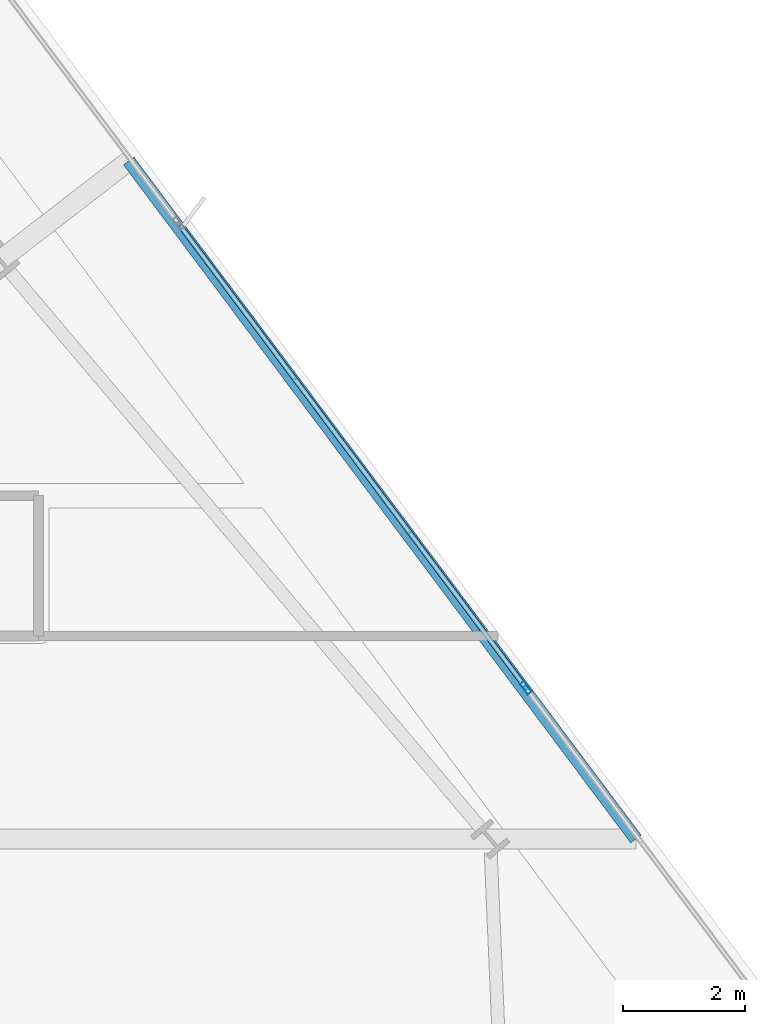
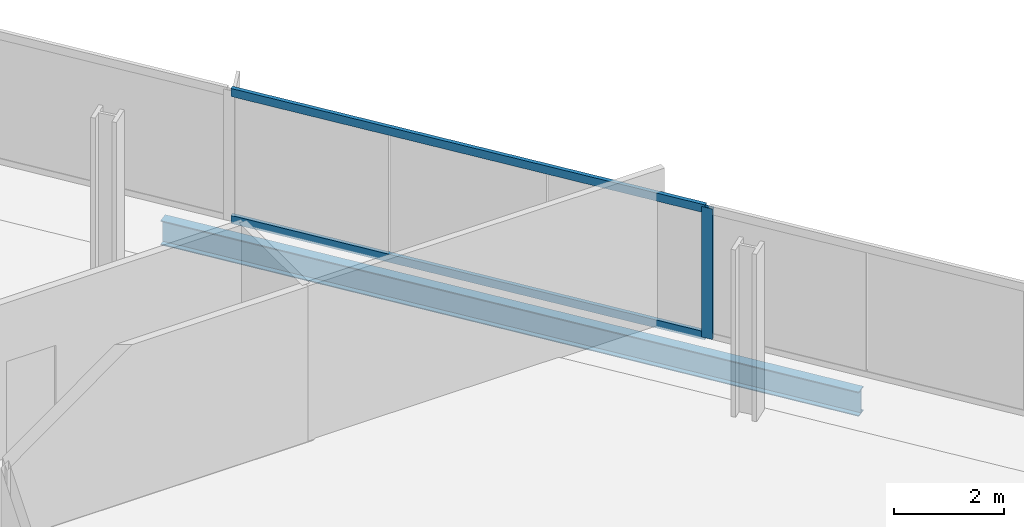
# One storey, part 18 of 32: 3 members, 1 beam, 1 element without a shape of its own.
"""IFC4 building model written with IfcOpenShell, lengths in metres."""

from ifc_helpers import new_model, si_unit, direction, frame, origin, origin_2d, place, context, subcontext, project, spatial, hollow_rectangle, i_section, extrude, material, material_profile, profile_set, type_object, element, aggregate, save


model = new_model("IFC4")

# Units and contexts
model_context = context("Model", 3, precision=1e-05, world=origin(), true_north=direction((0.0, 1.0)))
body_context = subcontext(model_context, "Body", "Model", "MODEL_VIEW")
ifc_project = project(units=[si_unit("LENGTHUNIT", "METRE"), si_unit("AREAUNIT", "SQUARE_METRE"), si_unit("VOLUMEUNIT", "CUBIC_METRE"), si_unit("PLANEANGLEUNIT", "RADIAN"), si_unit("MASSUNIT", "GRAM", prefix="KILO")], contexts=[model_context])

# Site, building, storey
site_placement = place(None, origin())
site = spatial("IfcSite", under=ifc_project, at=site_placement, CompositionType="ELEMENT")
building_placement = place(site_placement, origin())
building = spatial("IfcBuilding", under=site, at=building_placement, Name="Haldenkirk Collegiate Tower", CompositionType="ELEMENT")
storey_placement = place(building_placement, frame((0.0, 0.0, 151.949951171875)))
storey = spatial("IfcBuildingStorey", under=building, at=storey_placement, Name="L37", CompositionType="ELEMENT", Elevation=151.949951171875)

# Beam
ifc_material_1 = material(Name="Steel ASTM A992 Grade 50", Category="steel")
ifc_material_profile_1 = material_profile(ifc_material_1, i_section(OverallWidth=0.2119140625, OverallDepth=0.5439453125, WebThickness=0.01318359375, FlangeThickness=0.021240234375, at=origin_2d()), Name="W21X83")
ifc_profile_set_1 = profile_set([ifc_material_profile_1], Name="Steel ASTM A992 Grade 50")
beam_type = type_object("IfcBeamType", Name="BM-SPANDREL-W21X83", PredefinedType="SPANDREL", material=ifc_profile_set_1)
beam_placement = place(storey_placement, frame((63.587646484375, 30.82421875, -0.56201171875), z_axis=(-0.599033787984, 0.800723748151, 0.0), x_axis=(-0.800723748151, -0.599033787984, 0.0)))
element("IfcBeam", 1, at=beam_placement, inside=storey, type_object=beam_type, Name="L37 outer facade edge beam 2", PredefinedType="SPANDREL", context=body_context, shape_type="SweptSolid", body=[
    extrude(i_section(OverallWidth=0.2119140625, OverallDepth=0.5439453125, WebThickness=0.01318359375, FlangeThickness=0.021240234375, at=origin_2d()), origin(), (0.0, 0.0, 1.0), 13.873291015625),
])

# Curtain wall, members
ifc_material_2 = material(Name="Anodised architectural bronze aluminium", Category="aluminium")
curtain_wall_type = type_object("IfcCurtainWallType", Name="CW-SYS1-CONVEX-LOW", PredefinedType="USERDEFINED", material=ifc_material_2)
curtain_wall_placement = place(storey_placement, origin())
curtain_wall = element("IfcCurtainWall", 2, at=curtain_wall_placement, inside=storey, type_object=curtain_wall_type, Name="L37 Lower tower convex bronze-framed unitised curtain wall", ObjectType="UNITISED CURTAIN WALL", PredefinedType="USERDEFINED")
ifc_material_profile_2 = material_profile(ifc_material_2, hollow_rectangle(XDim=0.080078125, YDim=0.219970703125, WallThickness=0.0048828125, at=origin_2d()), Name="CW-MUL-1A")
ifc_profile_set_2 = profile_set([ifc_material_profile_2], Name="Anodised architectural bronze aluminium")
member_type_1 = type_object("IfcMemberType", Name="CW-MUL-1A", PredefinedType="MULLION", material=ifc_profile_set_2)
member_1_placement = place(storey_placement, frame((61.784912109375, 33.300537109375, 0.0), z_axis=(0.0, 0.0, 1.0), x_axis=(0.800730460187, 0.599024815954, 0.0)))
member_1 = element("IfcMember", 3, at=member_1_placement, type_object=member_type_1, Name="CW-1A mullion 4", PredefinedType="MULLION", context=body_context, shape_type="SweptSolid", body=[
    extrude(hollow_rectangle(XDim=0.080078125, YDim=0.219970703125, WallThickness=0.0048828125, at=origin_2d()), origin(), (0.0, 0.0, 1.0), 2.9111328125),
])
ifc_material_profile_3 = material_profile(ifc_material_2, hollow_rectangle(XDim=0.080078125, YDim=0.179931640625, WallThickness=0.0048828125, at=origin_2d()), Name="CW-TRN-1A")
ifc_profile_set_3 = profile_set([ifc_material_profile_3], Name="Anodised architectural bronze aluminium")
member_type_2 = type_object("IfcMemberType", Name="CW-TRN-1A", PredefinedType="USERDEFINED", material=ifc_profile_set_3)
member_2_placement = place(storey_placement, frame((56.1181640625, 40.87548828125, 0.0400390625), z_axis=(0.599033354483, -0.80072407246, 0.0), x_axis=(0.80072407246, 0.599033354483, 0.0)))
member_2 = element("IfcMember", 4, at=member_2_placement, type_object=member_type_2, Name="CW-1A transom 3.1", ObjectType="TRANSOM", PredefinedType="USERDEFINED", context=body_context, shape_type="SweptSolid", body=[
    extrude(hollow_rectangle(XDim=0.080078125, YDim=0.179931640625, WallThickness=0.0048828125, at=origin_2d()), origin(), (0.0, 0.0, 1.0), 9.419921875),
])
member_3_placement = place(storey_placement, frame((56.1181640625, 40.87548828125, 2.87109375), z_axis=(0.599033354483, -0.80072407246, 0.0), x_axis=(0.80072407246, 0.599033354483, 0.0)))
member_3 = element("IfcMember", 5, at=member_3_placement, type_object=member_type_2, Name="CW-1A transom 3.2", ObjectType="TRANSOM", PredefinedType="USERDEFINED", context=body_context, shape_type="SweptSolid", body=[
    extrude(hollow_rectangle(XDim=0.080078125, YDim=0.179931640625, WallThickness=0.0048828125, at=origin_2d()), origin(), (0.0, 0.0, 1.0), 9.419921875),
])
aggregate(curtain_wall, [member_1, member_2, member_3])

save(model, "model.ifc")
